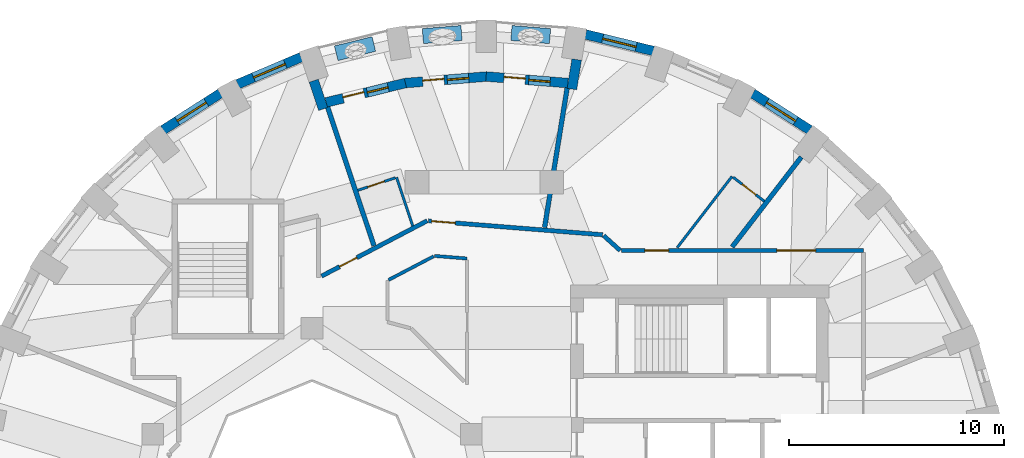
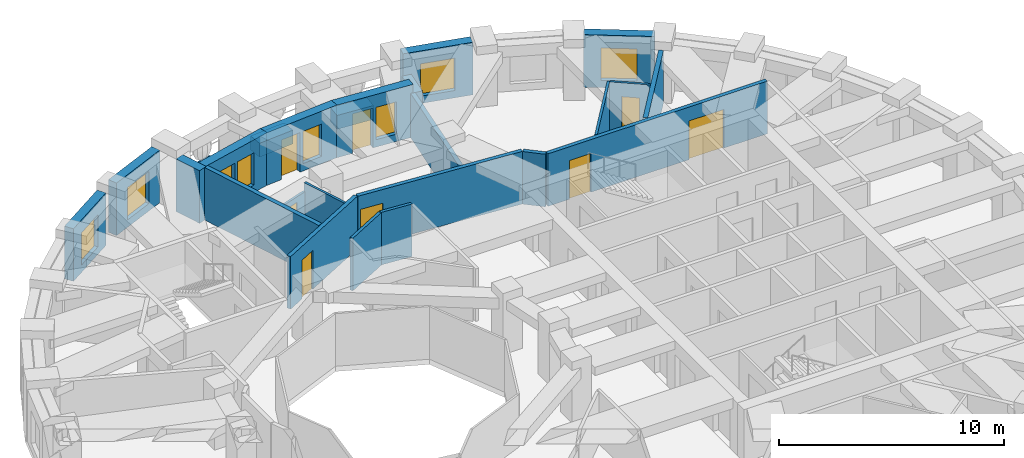
# One storey, part 7 of 11: 25 walls, 9 doors, 7 windows, 16 openings.
"""IFC4 building model written with IfcOpenShell, lengths in metres."""

from ifc_helpers import new_model, si_unit, direction, frame, frame_2d, origin, place, context, subcontext, project, spatial, rectangle, extrude, material, layer, layer_set, constituent, constituent_set, type_object, element, fill, save


model = new_model("IFC4")

# Units and contexts
model_context = context("Model", 3, precision=1e-05, world=origin(), true_north=direction((0.0, 1.0)))
body_context = subcontext(model_context, "Body", "Model", "MODEL_VIEW")
ifc_project = project(units=[si_unit("LENGTHUNIT", "METRE"), si_unit("AREAUNIT", "SQUARE_METRE"), si_unit("VOLUMEUNIT", "CUBIC_METRE"), si_unit("PLANEANGLEUNIT", "RADIAN"), si_unit("MASSUNIT", "GRAM", prefix="KILO")], contexts=[model_context])

# Site, building, storey
site_placement = place(None, origin())
site = spatial("IfcSite", under=ifc_project, at=site_placement, CompositionType="ELEMENT")
building_placement = place(site_placement, origin())
building = spatial("IfcBuilding", under=site, at=building_placement, Name="Taillehof Tower", CompositionType="ELEMENT")
storey_placement = place(building_placement, frame((0.0, 0.0, 181.39990234375)))
storey = spatial("IfcBuildingStorey", under=building, at=storey_placement, Name="L51", CompositionType="ELEMENT", Elevation=181.39990234375)

# Wall, opening, window
ifc_material_1 = material(Name="Brick masonry", Category="masonry")
ifc_layer_1 = layer(ifc_material_1, 0.449951171875)
ifc_layer_set_1 = layer_set([ifc_layer_1], Name="Brick infill wall 450")
wall_type_1 = type_object("IfcWallType", Name="Brick infill wall 450", PredefinedType="SOLIDWALL", material=ifc_layer_set_1)
wall_1_placement = place(storey_placement, frame((15.1083984375, 17.193359375, 0.0), z_axis=(0.0, 0.0, 1.0), x_axis=(-0.842030726237, 0.539429565442, 0.0)))
wall_1 = element("IfcWall", 1, at=wall_1_placement, inside=storey, type_object=wall_type_1, Name="Brick wall L51 bay 6", PredefinedType="SOLIDWALL", context=body_context, shape_type="SweptSolid", body=[
    extrude(rectangle(XDim=3.1513671875, YDim=0.449951171875, at=frame_2d((1.57568359375, 0.0))), origin(), (0.0, 0.0, 1.0), 2.85009765625),
])
opening_1_placement = place(wall_1_placement, frame((0.775634765625, 0.0, 0.39990234375)))
opening_1 = element("IfcOpeningElement", 2, at=opening_1_placement, cuts=wall_1, Name="Opening W3", PredefinedType="OPENING", context=body_context, shape_type="SweptSolid", body=[
    extrude(rectangle(XDim=1.60009765625, YDim=1.75, at=frame_2d((0.800048828125, 0.875))), frame((0.0, 0.23486328125, 0.0), z_axis=(0.0, -1.0, 0.0), x_axis=(1.0, 0.0, 0.0)), (0.0, 0.0, 1.0), 0.469970703125),
])
ifc_material_2 = material(Name="Aluminium window frame with clear double glazing", Category="aluminium")
window_type_1 = type_object("IfcWindowType", Name="Deep-set window 1600x1750", PartitioningType="SINGLE_PANEL", PredefinedType="WINDOW", material=ifc_material_2)
window_1_placement = place(opening_1_placement, origin())
window_1 = element("IfcWindow", 3, at=window_1_placement, inside=storey, type_object=window_type_1, Name="W3", OverallHeight=1.75, OverallWidth=1.60009765625, PartitioningType="SINGLE_PANEL", PredefinedType="WINDOW", context=body_context, shape_type="SweptSolid", body=[
    extrude(rectangle(XDim=1.60009765625, YDim=1.75, at=frame_2d((0.800048828125, 0.875))), frame((0.0, 0.034912109375, 0.0), z_axis=(0.0, -1.0, 0.0), x_axis=(1.0, 0.0, 0.0)), (0.0, 0.0, 1.0), 0.06005859375),
])
fill(opening_1, window_1)

wall_2_placement = place(storey_placement, frame((7.843017578125, 20.8623046875, 0.0), z_axis=(0.0, 0.0, 1.0), x_axis=(-0.971237178372, 0.238114139328, 0.0)))
wall_2 = element("IfcWall", 4, at=wall_2_placement, inside=storey, type_object=wall_type_1, Name="Brick wall L51 bay 8", PredefinedType="SOLIDWALL", context=body_context, shape_type="SweptSolid", body=[
    extrude(rectangle(XDim=3.23681640625, YDim=0.449951171875, at=frame_2d((1.618408203125, 0.0))), origin(), (0.0, 0.0, 1.0), 2.85009765625),
])
opening_2_placement = place(wall_2_placement, frame((0.818359375, 0.0, 0.39990234375)))
opening_2 = element("IfcOpeningElement", 5, at=opening_2_placement, cuts=wall_2, Name="Opening W3", PredefinedType="OPENING", context=body_context, shape_type="SweptSolid", body=[
    extrude(rectangle(XDim=1.60009765625, YDim=1.75, at=frame_2d((0.800048828125, 0.875))), frame((0.0, 0.23486328125, 0.0), z_axis=(0.0, -1.0, 0.0), x_axis=(1.0, 0.0, 0.0)), (0.0, 0.0, 1.0), 0.469970703125),
])
window_2_placement = place(opening_2_placement, origin())
window_2 = element("IfcWindow", 6, at=window_2_placement, inside=storey, type_object=window_type_1, Name="W3", OverallHeight=1.75, OverallWidth=1.60009765625, PartitioningType="SINGLE_PANEL", PredefinedType="WINDOW", context=body_context, shape_type="SweptSolid", body=[
    extrude(rectangle(XDim=1.60009765625, YDim=1.75, at=frame_2d((0.800048828125, 0.875))), frame((0.0, 0.034912109375, 0.0), z_axis=(0.0, -1.0, 0.0), x_axis=(1.0, 0.0, 0.0)), (0.0, 0.0, 1.0), 0.06005859375),
])
fill(opening_2, window_2)

wall_3_placement = place(storey_placement, frame((-8.50634765625, 20.574462890625, 0.0), z_axis=(0.0, 0.0, 1.0), x_axis=(-0.919798725687, -0.392390499663, 0.0)))
wall_3 = element("IfcWall", 7, at=wall_3_placement, inside=storey, type_object=wall_type_1, Name="Brick wall L51 bay 12", PredefinedType="SOLIDWALL", context=body_context, shape_type="SweptSolid", body=[
    extrude(rectangle(XDim=3.200439453125, YDim=0.449951171875, at=frame_2d((1.60009765625, 0.0))), origin(), (0.0, 0.0, 1.0), 2.85009765625),
])
opening_3_placement = place(wall_3_placement, frame((0.80029296875, 0.0, 0.39990234375)))
opening_3 = element("IfcOpeningElement", 8, at=opening_3_placement, cuts=wall_3, Name="Opening W3", PredefinedType="OPENING", context=body_context, shape_type="SweptSolid", body=[
    extrude(rectangle(XDim=1.60009765625, YDim=1.75, at=frame_2d((0.800048828125, 0.875))), frame((0.0, 0.23486328125, 0.0), z_axis=(0.0, -1.0, 0.0), x_axis=(1.0, 0.0, 0.0)), (0.0, 0.0, 1.0), 0.469970703125),
])
window_3_placement = place(opening_3_placement, origin())
window_3 = element("IfcWindow", 9, at=window_3_placement, inside=storey, type_object=window_type_1, Name="W3", OverallHeight=1.75, OverallWidth=1.60009765625, PartitioningType="SINGLE_PANEL", PredefinedType="WINDOW", context=body_context, shape_type="SweptSolid", body=[
    extrude(rectangle(XDim=1.60009765625, YDim=1.75, at=frame_2d((0.800048828125, 0.875))), frame((0.0, 0.034912109375, 0.0), z_axis=(0.0, -1.0, 0.0), x_axis=(1.0, 0.0, 0.0)), (0.0, 0.0, 1.0), 0.06005859375),
])
fill(opening_3, window_3)

wall_4_placement = place(storey_placement, frame((-12.2548828125, 18.893310546875, 0.0), z_axis=(0.0, 0.0, 1.0), x_axis=(-0.842030726237, -0.539429565442, 0.0)))
wall_4 = element("IfcWall", 10, at=wall_4_placement, inside=storey, type_object=wall_type_1, Name="Brick wall L51 bay 13", PredefinedType="SOLIDWALL", context=body_context, shape_type="SweptSolid", body=[
    extrude(rectangle(XDim=3.1513671875, YDim=0.449951171875, at=frame_2d((1.57568359375, 0.0))), origin(), (0.0, 0.0, 1.0), 2.85009765625),
])
opening_4_placement = place(wall_4_placement, frame((0.775634765625, 0.0, 0.39990234375)))
opening_4 = element("IfcOpeningElement", 11, at=opening_4_placement, cuts=wall_4, Name="Opening W3", PredefinedType="OPENING", context=body_context, shape_type="SweptSolid", body=[
    extrude(rectangle(XDim=1.60009765625, YDim=1.75, at=frame_2d((0.800048828125, 0.875))), frame((0.0, 0.23486328125, 0.0), z_axis=(0.0, -1.0, 0.0), x_axis=(1.0, 0.0, 0.0)), (0.0, 0.0, 1.0), 0.469970703125),
])
window_4_placement = place(opening_4_placement, origin())
window_4 = element("IfcWindow", 12, at=window_4_placement, inside=storey, type_object=window_type_1, Name="W3", OverallHeight=1.75, OverallWidth=1.60009765625, PartitioningType="SINGLE_PANEL", PredefinedType="WINDOW", context=body_context, shape_type="SweptSolid", body=[
    extrude(rectangle(XDim=1.60009765625, YDim=1.75, at=frame_2d((0.800048828125, 0.875))), frame((0.0, 0.034912109375, 0.0), z_axis=(0.0, -1.0, 0.0), x_axis=(1.0, 0.0, 0.0)), (0.0, 0.0, 1.0), 0.06005859375),
])
fill(opening_4, window_4)

# Walls
wall_5_placement = place(storey_placement, frame((4.2880859375, 20.4658203125, 0.0), z_axis=(0.0, 0.0, 1.0), x_axis=(-0.159668705775, -0.987170656166, 0.0)))
element("IfcWall", 13, at=wall_5_placement, inside=storey, type_object=wall_type_1, Name="Brick reveal L51 pocket 2", PredefinedType="SOLIDWALL", context=body_context, shape_type="SweptSolid", body=[
    extrude(rectangle(XDim=1.389892578125, YDim=0.449951171875, at=frame_2d((0.69482421875, 0.0))), origin(), (0.0, 0.0, 1.0), 2.400146484375),
])
wall_6_placement = place(storey_placement, frame((-7.921630859375, 19.486328125, 0.0), z_axis=(0.0, 0.0, 1.0), x_axis=(0.316649231286, -0.948542705589, 0.0)))
element("IfcWall", 14, at=wall_6_placement, inside=storey, type_object=wall_type_1, Name="Brick reveal L51 pocket 2", PredefinedType="SOLIDWALL", context=body_context, shape_type="SweptSolid", body=[
    extrude(rectangle(XDim=1.39013671875, YDim=0.449951171875, at=frame_2d((0.695068359375, 0.0))), origin(), (0.0, 0.0, 1.0), 2.85009765625),
])

# Wall, openings, door, window
wall_7_placement = place(storey_placement, frame((3.883056640625, 19.37060546875, 0.0), z_axis=(0.0, 0.0, 1.0), x_axis=(-0.996792437449, 0.080030223316, 0.0)))
wall_7 = element("IfcWall", 15, at=wall_7_placement, inside=storey, type_object=wall_type_1, Name="Brick wall L51 pocket bay 9", PredefinedType="SOLIDWALL", context=body_context, shape_type="SweptSolid", body=[
    extrude(rectangle(XDim=3.813232421875, YDim=0.449951171875, at=frame_2d((1.90673828125, 0.0))), origin(), (0.0, 0.0, 1.0), 2.85009765625),
])
opening_5_placement = place(wall_7_placement, frame((0.83154296875, 0.0, 0.39990234375)))
opening_5 = element("IfcOpeningElement", 16, at=opening_5_placement, cuts=wall_7, Name="Opening W5", PredefinedType="OPENING", context=body_context, shape_type="SweptSolid", body=[
    extrude(rectangle(XDim=1.0, YDim=1.75, at=frame_2d((0.5, 0.875))), frame((0.0, 0.23486328125, 0.0), z_axis=(0.0, -1.0, 0.0), x_axis=(1.0, 0.0, 0.0)), (0.0, 0.0, 1.0), 0.469970703125),
])
opening_6_placement = place(wall_7_placement, frame((1.981689453125, 0.0, 0.0)))
opening_6 = element("IfcOpeningElement", 17, at=opening_6_placement, cuts=wall_7, Name="Opening D5194", PredefinedType="OPENING", context=body_context, shape_type="SweptSolid", body=[
    extrude(rectangle(XDim=1.0, YDim=2.14990234375, at=frame_2d((0.5, 1.074951171875))), frame((0.0, 0.23486328125, 0.0), z_axis=(0.0, -1.0, 0.0), x_axis=(1.0, 0.0, 0.0)), (0.0, 0.0, 1.0), 0.469970703125),
])
ifc_material_3 = material(Name="Aluminium door frame with clear double glazing", Category="aluminium")
door_type_1 = type_object("IfcDoorType", Name="Balcony door 1000x2150", OperationType="SINGLE_SWING_RIGHT", PredefinedType="DOOR", material=ifc_material_3)
door_1_placement = place(opening_6_placement, frame((1.0, 0.0, 0.0), z_axis=(0.0, 0.0, 1.0), x_axis=(-1.0, 0.0, 0.0)))
door_1 = element("IfcDoor", 18, at=door_1_placement, inside=storey, type_object=door_type_1, Name="Balcony door L51 bay 9", OperationType="SINGLE_SWING_RIGHT", OverallHeight=2.14990234375, OverallWidth=1.0, PredefinedType="DOOR", context=body_context, shape_type="SweptSolid", body=[
    extrude(rectangle(XDim=1.0, YDim=2.14990234375, at=frame_2d((0.5, 1.074951171875))), frame((0.0, 0.0751953125, 0.0), z_axis=(0.0, -1.0, 0.0), x_axis=(1.0, 0.0, 0.0)), (0.0, 0.0, 1.0), 0.050048828125),
])
fill(opening_6, door_1)
ifc_material_4 = material(Name="Aluminium window frame with clear double glazing", Category="aluminium")
window_type_2 = type_object("IfcWindowType", Name="Fixed window 1000x1750", PartitioningType="SINGLE_PANEL", PredefinedType="WINDOW", material=ifc_material_4)
window_5_placement = place(opening_5_placement, origin())
window_5 = element("IfcWindow", 19, at=window_5_placement, inside=storey, type_object=window_type_2, Name="W5", OverallHeight=1.75, OverallWidth=1.0, PartitioningType="SINGLE_PANEL", PredefinedType="WINDOW", context=body_context, shape_type="SweptSolid", body=[
    extrude(rectangle(XDim=1.0, YDim=1.75, at=frame_2d((0.5, 0.875))), frame((0.0, 0.034912109375, 0.0), z_axis=(0.0, -1.0, 0.0), x_axis=(1.0, 0.0, 0.0)), (0.0, 0.0, 1.0), 0.06005859375),
])
fill(opening_5, window_5)

wall_8_placement = place(storey_placement, frame((0.117919921875, 19.67578125, 0.0), z_axis=(0.0, 0.0, 1.0), x_axis=(-0.996792139022, -0.080033940204, 0.0)))
wall_8 = element("IfcWall", 20, at=wall_8_placement, inside=storey, type_object=wall_type_1, Name="Brick wall L51 pocket bay 10", PredefinedType="SOLIDWALL", context=body_context, shape_type="SweptSolid", body=[
    extrude(rectangle(XDim=3.831298828125, YDim=0.449951171875, at=frame_2d((1.91552734375, 0.0))), origin(), (0.0, 0.0, 1.0), 2.85009765625),
])
opening_7_placement = place(wall_8_placement, frame((0.840576171875, 0.0, 0.39990234375)))
opening_7 = element("IfcOpeningElement", 21, at=opening_7_placement, cuts=wall_8, Name="Opening W5", PredefinedType="OPENING", context=body_context, shape_type="SweptSolid", body=[
    extrude(rectangle(XDim=1.0, YDim=1.75, at=frame_2d((0.5, 0.875))), frame((0.0, 0.23486328125, 0.0), z_axis=(0.0, -1.0, 0.0), x_axis=(1.0, 0.0, 0.0)), (0.0, 0.0, 1.0), 0.469970703125),
])
opening_8_placement = place(wall_8_placement, frame((1.99072265625, 0.0, 0.0)))
opening_8 = element("IfcOpeningElement", 22, at=opening_8_placement, cuts=wall_8, Name="Opening D5195", PredefinedType="OPENING", context=body_context, shape_type="SweptSolid", body=[
    extrude(rectangle(XDim=1.0, YDim=2.14990234375, at=frame_2d((0.5, 1.074951171875))), frame((0.0, 0.23486328125, 0.0), z_axis=(0.0, -1.0, 0.0), x_axis=(1.0, 0.0, 0.0)), (0.0, 0.0, 1.0), 0.469970703125),
])
door_2_placement = place(opening_8_placement, frame((1.0, 0.0, 0.0), z_axis=(0.0, 0.0, 1.0), x_axis=(-1.0, 0.0, 0.0)))
door_2 = element("IfcDoor", 23, at=door_2_placement, inside=storey, type_object=door_type_1, Name="Balcony door L51 bay 10", OperationType="SINGLE_SWING_LEFT", OverallHeight=2.14990234375, OverallWidth=1.0, PredefinedType="DOOR", context=body_context, shape_type="SweptSolid", body=[
    extrude(rectangle(XDim=1.0, YDim=2.14990234375, at=frame_2d((0.5, 1.074951171875))), frame((0.0, 0.0751953125, 0.0), z_axis=(0.0, -1.0, 0.0), x_axis=(1.0, 0.0, 0.0)), (0.0, 0.0, 1.0), 0.050048828125),
])
fill(opening_8, door_2)
window_6_placement = place(opening_7_placement, origin())
window_6 = element("IfcWindow", 24, at=window_6_placement, inside=storey, type_object=window_type_2, Name="W5", OverallHeight=1.75, OverallWidth=1.0, PartitioningType="SINGLE_PANEL", PredefinedType="WINDOW", context=body_context, shape_type="SweptSolid", body=[
    extrude(rectangle(XDim=1.0, YDim=1.75, at=frame_2d((0.5, 0.875))), frame((0.0, 0.034912109375, 0.0), z_axis=(0.0, -1.0, 0.0), x_axis=(1.0, 0.0, 0.0)), (0.0, 0.0, 1.0), 0.06005859375),
])
fill(opening_7, window_6)

wall_9_placement = place(storey_placement, frame((-3.665283203125, 19.375, 0.0), z_axis=(0.0, 0.0, 1.0), x_axis=(-0.97110866251, -0.238637728782, 0.0)))
wall_9 = element("IfcWall", 25, at=wall_9_placement, inside=storey, type_object=wall_type_1, Name="Brick wall L51 pocket bay 11", PredefinedType="SOLIDWALL", context=body_context, shape_type="SweptSolid", body=[
    extrude(rectangle(XDim=3.789306640625, YDim=0.449951171875, at=frame_2d((1.89453125, 0.0))), origin(), (0.0, 0.0, 1.0), 2.85009765625),
])
opening_9_placement = place(wall_9_placement, frame((0.81982421875, 0.0, 0.39990234375)))
opening_9 = element("IfcOpeningElement", 26, at=opening_9_placement, cuts=wall_9, Name="Opening W5", PredefinedType="OPENING", context=body_context, shape_type="SweptSolid", body=[
    extrude(rectangle(XDim=1.0, YDim=1.75, at=frame_2d((0.5, 0.875))), frame((0.0, 0.23486328125, 0.0), z_axis=(0.0, -1.0, 0.0), x_axis=(1.0, 0.0, 0.0)), (0.0, 0.0, 1.0), 0.469970703125),
])
opening_10_placement = place(wall_9_placement, frame((1.9697265625, 0.0, 0.0)))
opening_10 = element("IfcOpeningElement", 27, at=opening_10_placement, cuts=wall_9, Name="Opening D5196", PredefinedType="OPENING", context=body_context, shape_type="SweptSolid", body=[
    extrude(rectangle(XDim=1.0, YDim=2.14990234375, at=frame_2d((0.5, 1.074951171875))), frame((0.0, 0.23486328125, 0.0), z_axis=(0.0, -1.0, 0.0), x_axis=(1.0, 0.0, 0.0)), (0.0, 0.0, 1.0), 0.469970703125),
])
door_3_placement = place(opening_10_placement, frame((1.0, 0.0, 0.0), z_axis=(0.0, 0.0, 1.0), x_axis=(-1.0, 0.0, 0.0)))
door_3 = element("IfcDoor", 28, at=door_3_placement, inside=storey, type_object=door_type_1, Name="Balcony door L51 bay 11", OperationType="SINGLE_SWING_LEFT", OverallHeight=2.14990234375, OverallWidth=1.0, PredefinedType="DOOR", context=body_context, shape_type="SweptSolid", body=[
    extrude(rectangle(XDim=1.0, YDim=2.14990234375, at=frame_2d((0.5, 1.074951171875))), frame((0.0, 0.0751953125, 0.0), z_axis=(0.0, -1.0, 0.0), x_axis=(1.0, 0.0, 0.0)), (0.0, 0.0, 1.0), 0.050048828125),
])
fill(opening_10, door_3)
window_7_placement = place(opening_9_placement, origin())
window_7 = element("IfcWindow", 29, at=window_7_placement, inside=storey, type_object=window_type_2, Name="W5", OverallHeight=1.75, OverallWidth=1.0, PartitioningType="SINGLE_PANEL", PredefinedType="WINDOW", context=body_context, shape_type="SweptSolid", body=[
    extrude(rectangle(XDim=1.0, YDim=1.75, at=frame_2d((0.5, 0.875))), frame((0.0, 0.034912109375, 0.0), z_axis=(0.0, -1.0, 0.0), x_axis=(1.0, 0.0, 0.0)), (0.0, 0.0, 1.0), 0.06005859375),
])
fill(opening_9, window_7)

# Wall, opening, door
ifc_material_5 = material(Name="Gypsum board on steel studs, two layers each side", Category="steel")
ifc_layer_2 = layer(ifc_material_5, 0.199951171875)
ifc_layer_set_2 = layer_set([ifc_layer_2], Name="Compartment wall corridor 200")
wall_type_2 = type_object("IfcWallType", Name="Compartment wall corridor 200", PredefinedType="PARTITIONING", material=ifc_layer_set_2)
wall_10_placement = place(storey_placement, frame((-7.557373046875, 10.408935546875, 0.0), z_axis=(0.0, 0.0, 1.0), x_axis=(0.885861719566, 0.463949365565, 0.0)))
wall_10 = element("IfcWall", 30, at=wall_10_placement, inside=storey, type_object=wall_type_2, Name="Compartment wall", PredefinedType="PARTITIONING", context=body_context, shape_type="SweptSolid", body=[
    extrude(rectangle(XDim=5.54052734375, YDim=0.199951171875, at=frame_2d((2.770263671875, 0.0))), origin(), (0.0, 0.0, 1.0), 2.85009765625),
])
opening_11_placement = place(wall_10_placement, frame((0.949951171875, 0.0, 0.0)))
opening_11 = element("IfcOpeningElement", 31, at=opening_11_placement, cuts=wall_10, Name="Opening D5144", PredefinedType="OPENING", context=body_context, shape_type="SweptSolid", body=[
    extrude(rectangle(XDim=0.89990234375, YDim=2.10009765625, at=frame_2d((0.449951171875, 1.050048828125))), frame((0.0, 0.10986328125, 0.0), z_axis=(0.0, -1.0, 0.0), x_axis=(1.0, 0.0, 0.0)), (0.0, 0.0, 1.0), 0.219970703125),
])
ifc_material_6 = material(Name="Timber door leaf in steel frame", Category="steel")
door_type_2 = type_object("IfcDoorType", Name="Service room door EI 30 900 x 2100", OperationType="SINGLE_SWING_LEFT", PredefinedType="DOOR", material=ifc_material_6)
door_4_placement = place(opening_11_placement, origin())
door_4 = element("IfcDoor", 32, at=door_4_placement, inside=storey, type_object=door_type_2, Name="D5144", OperationType="SINGLE_SWING_RIGHT", OverallHeight=2.10009765625, OverallWidth=0.89990234375, PredefinedType="DOOR", context=body_context, shape_type="SweptSolid", body=[
    extrude(rectangle(XDim=0.89990234375, YDim=2.10009765625, at=frame_2d((0.449951171875, 1.050048828125))), frame((0.0, 0.02490234375, 0.0), z_axis=(0.0, -1.0, 0.0), x_axis=(1.0, 0.0, 0.0)), (0.0, 0.0, 1.0), 0.050048828125),
])
fill(opening_11, door_4)

wall_11_placement = place(storey_placement, frame((-2.589111328125, 12.974365234375, 0.0), z_axis=(0.0, 0.0, 1.0), x_axis=(0.996834299001, -0.079507108712, 0.0)))
wall_11 = element("IfcWall", 33, at=wall_11_placement, inside=storey, type_object=wall_type_2, Name="Compartment wall", PredefinedType="PARTITIONING", context=body_context, shape_type="SweptSolid", body=[
    extrude(rectangle(XDim=8.109619140625, YDim=0.199951171875, at=frame_2d((4.0546875, 0.0))), origin(), (0.0, 0.0, 1.0), 2.85009765625),
])
opening_12_placement = place(wall_11_placement, frame((0.139892578125, 0.0, 0.0)))
opening_12 = element("IfcOpeningElement", 34, at=opening_12_placement, cuts=wall_11, Name="Opening D5142", PredefinedType="OPENING", context=body_context, shape_type="SweptSolid", body=[
    extrude(rectangle(XDim=1.10009765625, YDim=2.10009765625, at=frame_2d((0.550048828125, 1.050048828125))), frame((0.0, 0.10986328125, 0.0), z_axis=(0.0, -1.0, 0.0), x_axis=(1.0, 0.0, 0.0)), (0.0, 0.0, 1.0), 0.219970703125),
])
ifc_material_7 = material(Name="Timber door leaf in steel frame", Category="steel")
door_type_3 = type_object("IfcDoorType", Name="Suite entrance door EI 30 1100 x 2100", OperationType="SINGLE_SWING_LEFT", PredefinedType="DOOR", material=ifc_material_7)
door_5_placement = place(opening_12_placement, origin())
door_5 = element("IfcDoor", 35, at=door_5_placement, inside=storey, type_object=door_type_3, Name="D5142", OperationType="SINGLE_SWING_LEFT", OverallHeight=2.10009765625, OverallWidth=1.10009765625, PredefinedType="DOOR", context=body_context, shape_type="SweptSolid", body=[
    extrude(rectangle(XDim=1.10009765625, YDim=2.10009765625, at=frame_2d((0.550048828125, 1.050048828125))), frame((0.0, 0.02490234375, 0.0), z_axis=(0.0, -1.0, 0.0), x_axis=(1.0, 0.0, 0.0)), (0.0, 0.0, 1.0), 0.050048828125),
])
fill(opening_12, door_5)

# Wall
wall_12_placement = place(storey_placement, frame((5.53955078125, 12.289306640625, 0.0), z_axis=(0.0, 0.0, 1.0), x_axis=(0.743647325452, -0.668572101832, 0.0)))
element("IfcWall", 36, at=wall_12_placement, inside=storey, type_object=wall_type_2, Name="Compartment wall", PredefinedType="PARTITIONING", context=body_context, shape_type="SweptSolid", body=[
    extrude(rectangle(XDim=1.03076171875, YDim=0.199951171875, at=frame_2d((0.515380859375, 0.0))), origin(), (0.0, 0.0, 1.0), 2.85009765625),
])

# Wall, openings, doors
wall_13_placement = place(storey_placement, frame((6.3662109375, 11.60009765625, 0.0), z_axis=(0.0, 0.0, 1.0), x_axis=(1.0, 0.0, 0.0)))
wall_13 = element("IfcWall", 37, at=wall_13_placement, inside=storey, type_object=wall_type_2, Name="Compartment wall", PredefinedType="PARTITIONING", context=body_context, shape_type="SweptSolid", body=[
    extrude(rectangle(XDim=11.23388671875, YDim=0.199951171875, at=frame_2d((5.616943359375, 0.0))), origin(), (0.0, 0.0, 1.0), 2.85009765625),
])
opening_13_placement = place(wall_13_placement, frame((1.086181640625, 0.0, 0.0)))
opening_13 = element("IfcOpeningElement", 38, at=opening_13_placement, cuts=wall_13, Name="Opening D5140", PredefinedType="OPENING", context=body_context, shape_type="SweptSolid", body=[
    extrude(rectangle(XDim=1.10009765625, YDim=2.10009765625, at=frame_2d((0.550048828125, 1.050048828125))), frame((0.0, 0.10986328125, 0.0), z_axis=(0.0, -1.0, 0.0), x_axis=(1.0, 0.0, 0.0)), (0.0, 0.0, 1.0), 0.219970703125),
])
opening_14_placement = place(wall_13_placement, frame((7.216064453125, 0.0, 0.0)))
opening_14 = element("IfcOpeningElement", 39, at=opening_14_placement, cuts=wall_13, Name="Opening D5154", PredefinedType="OPENING", context=body_context, shape_type="SweptSolid", body=[
    extrude(rectangle(XDim=1.800048828125, YDim=2.10009765625, at=frame_2d((0.89990234375, 1.050048828125))), frame((0.0, 0.10986328125, 0.0), z_axis=(0.0, -1.0, 0.0), x_axis=(1.0, 0.0, 0.0)), (0.0, 0.0, 1.0), 0.219970703125),
])
ifc_material_8 = material(Name="Timber door leaf in steel frame", Category="steel")
door_type_4 = type_object("IfcDoorType", Name="Lounge and meeting room double door EI 30 1800 x 2100", OperationType="SINGLE_SWING_LEFT", PredefinedType="DOOR", material=ifc_material_8)
door_6_placement = place(opening_14_placement, origin())
door_6 = element("IfcDoor", 40, at=door_6_placement, inside=storey, type_object=door_type_4, Name="D5154", OperationType="DOUBLE_DOOR_SINGLE_SWING", OverallHeight=2.10009765625, OverallWidth=1.800048828125, PredefinedType="DOOR", context=body_context, shape_type="SweptSolid", body=[
    extrude(rectangle(XDim=1.800048828125, YDim=2.10009765625, at=frame_2d((0.89990234375, 1.050048828125))), frame((0.0, 0.02490234375, 0.0), z_axis=(0.0, -1.0, 0.0), x_axis=(1.0, 0.0, 0.0)), (0.0, 0.0, 1.0), 0.050048828125),
])
fill(opening_14, door_6)
door_7_placement = place(opening_13_placement, origin())
door_7 = element("IfcDoor", 41, at=door_7_placement, inside=storey, type_object=door_type_3, Name="D5140", OperationType="SINGLE_SWING_RIGHT", OverallHeight=2.10009765625, OverallWidth=1.10009765625, PredefinedType="DOOR", context=body_context, shape_type="SweptSolid", body=[
    extrude(rectangle(XDim=1.10009765625, YDim=2.10009765625, at=frame_2d((0.550048828125, 1.050048828125))), frame((0.0, 0.02490234375, 0.0), z_axis=(0.0, -1.0, 0.0), x_axis=(1.0, 0.0, 0.0)), (0.0, 0.0, 1.0), 0.050048828125),
])
fill(opening_13, door_7)

# Walls
ifc_material_9 = material(Name="Gypsum board on double steel studs with mineral wool", Category="steel")
ifc_layer_3 = layer(ifc_material_9, 0.219970703125)
ifc_layer_set_3 = layer_set([ifc_layer_3], Name="Compartment wall guest room 220")
wall_type_3 = type_object("IfcWallType", Name="Compartment wall guest room 220", PredefinedType="PARTITIONING", material=ifc_layer_set_3)
wall_14_placement = place(storey_placement, frame((14.7158203125, 15.937255859375, 0.0), z_axis=(0.0, 0.0, 1.0), x_axis=(-0.61000193202, -0.792399926131, 0.0)))
element("IfcWall", 42, at=wall_14_placement, inside=storey, type_object=wall_type_3, Name="Compartment wall", PredefinedType="PARTITIONING", context=body_context, shape_type="SweptSolid", body=[
    extrude(rectangle(XDim=5.26708984375, YDim=0.219970703125, at=frame_2d((2.633544921875, 0.0))), origin(), (0.0, 0.0, 1.0), 2.85009765625),
])
wall_15_placement = place(storey_placement, frame((3.846923828125, 19.14794921875, 0.0), z_axis=(0.0, 0.0, 1.0), x_axis=(-0.159670729912, -0.987170328773, 0.0)))
element("IfcWall", 43, at=wall_15_placement, inside=storey, type_object=wall_type_3, Name="Compartment wall", PredefinedType="PARTITIONING", context=body_context, shape_type="SweptSolid", body=[
    extrude(rectangle(XDim=6.567138671875, YDim=0.219970703125, at=frame_2d((3.28369140625, 0.0))), origin(), (0.0, 0.0, 1.0), 2.400146484375),
])
wall_16_placement = place(storey_placement, frame((-7.27392578125, 18.25634765625, 0.0), z_axis=(0.0, 0.0, 1.0), x_axis=(0.316724121691, -0.948517701859, 0.0)))
element("IfcWall", 44, at=wall_16_placement, inside=storey, type_object=wall_type_3, Name="Compartment wall", PredefinedType="PARTITIONING", context=body_context, shape_type="SweptSolid", body=[
    extrude(rectangle(XDim=6.787109375, YDim=0.219970703125, at=frame_2d((3.3935546875, 0.0))), origin(), (0.0, 0.0, 1.0), 2.85009765625),
])
ifc_material_10 = material(Name="Gypsum board on steel studs, two layers each side", Category="steel")
ifc_layer_4 = layer(ifc_material_10, 0.14990234375)
ifc_layer_set_4 = layer_set([ifc_layer_4], Name="Compartment wall service room 150")
wall_type_4 = type_object("IfcWallType", Name="Compartment wall service room 150", PredefinedType="PARTITIONING", material=ifc_layer_set_4)
wall_17_placement = place(storey_placement, frame((-2.316162109375, 11.347900390625, 0.0), z_axis=(0.0, 0.0, 1.0), x_axis=(0.99682547828, -0.079617622742, 0.0)))
element("IfcWall", 45, at=wall_17_placement, inside=storey, type_object=wall_type_4, Name="Compartment wall", PredefinedType="PARTITIONING", context=body_context, shape_type="SweptSolid", body=[
    extrude(rectangle(XDim=1.52099609375, YDim=0.14990234375, at=frame_2d((0.760498046875, 0.0))), origin(), (0.0, 0.0, 1.0), 2.85009765625),
])
wall_18_placement = place(storey_placement, frame((-4.446533203125, 10.232177734375, 0.0), z_axis=(0.0, 0.0, 1.0), x_axis=(0.885843659857, 0.463983847016, 0.0)))
element("IfcWall", 46, at=wall_18_placement, inside=storey, type_object=wall_type_4, Name="Compartment wall", PredefinedType="PARTITIONING", context=body_context, shape_type="SweptSolid", body=[
    extrude(rectangle(XDim=2.36474609375, YDim=0.14990234375, at=frame_2d((1.182373046875, 0.0))), origin(), (0.0, 0.0, 1.0), 2.85009765625),
])
ifc_material_11 = material(Name="Gypsum board on steel studs, moisture resistant", Category="steel")
ifc_layer_5 = layer(ifc_material_11, 0.1201171875)
ifc_layer_set_5 = layer_set([ifc_layer_5], Name="En-suite wall 120")
wall_type_5 = type_object("IfcWallType", Name="En-suite wall 120", PredefinedType="PARTITIONING", material=ifc_layer_set_5)
wall_19_placement = place(storey_placement, frame((8.95458984375, 11.73193359375, 0.0), z_axis=(0.0, 0.0, 1.0), x_axis=(0.609996270026, 0.79240428479, 0.0)))
element("IfcWall", 47, at=wall_19_placement, inside=storey, type_object=wall_type_5, Name="En-suite wall", PredefinedType="PARTITIONING", context=body_context, shape_type="SweptSolid", body=[
    extrude(rectangle(XDim=4.17333984375, YDim=0.1201171875, at=frame_2d((2.086669921875, 0.0))), origin(), (0.0, 0.0, 1.0), 2.85009765625),
])
wall_20_placement = place(storey_placement, frame((-3.3232421875, 12.739501953125, 0.0), z_axis=(0.0, 0.0, 1.0), x_axis=(-0.316720994124, 0.948518746194, 0.0)))
element("IfcWall", 48, at=wall_20_placement, inside=storey, type_object=wall_type_5, Name="En-suite wall", PredefinedType="PARTITIONING", context=body_context, shape_type="SweptSolid", body=[
    extrude(rectangle(XDim=2.375732421875, YDim=0.1201171875, at=frame_2d((1.18798828125, 0.0))), origin(), (0.0, 0.0, 1.0), 2.85009765625),
])

# Wall, opening, door
wall_21_placement = place(storey_placement, frame((11.5478515625, 15.002197265625, 0.0), z_axis=(0.0, 0.0, 1.0), x_axis=(0.792445416108, -0.609942835428, 0.0)))
wall_21 = element("IfcWall", 49, at=wall_21_placement, inside=storey, type_object=wall_type_5, Name="En-suite wall", PredefinedType="PARTITIONING", context=body_context, shape_type="SweptSolid", body=[
    extrude(rectangle(XDim=1.830078125, YDim=0.1201171875, at=frame_2d((0.9150390625, 0.0))), origin(), (0.0, 0.0, 1.0), 2.85009765625),
])
opening_15_placement = place(wall_21_placement, frame((0.5400390625, 0.0, 0.0)))
opening_15 = element("IfcOpeningElement", 50, at=opening_15_placement, cuts=wall_21, Name="Opening D5141", PredefinedType="OPENING", context=body_context, shape_type="SweptSolid", body=[
    extrude(rectangle(XDim=0.800048828125, YDim=2.10009765625, at=frame_2d((0.39990234375, 1.050048828125))), frame((0.0, 0.070068359375, 0.0), z_axis=(0.0, -1.0, 0.0), x_axis=(1.0, 0.0, 0.0)), (0.0, 0.0, 1.0), 0.14013671875),
])
ifc_material_12 = material(Name="Timber door leaf in steel frame", Category="steel")
door_type_5 = type_object("IfcDoorType", Name="En-suite door 800 x 2100", OperationType="SINGLE_SWING_LEFT", PredefinedType="DOOR", material=ifc_material_12)
door_8_placement = place(opening_15_placement, origin())
door_8 = element("IfcDoor", 51, at=door_8_placement, inside=storey, type_object=door_type_5, Name="D5141", OperationType="SINGLE_SWING_RIGHT", OverallHeight=2.10009765625, OverallWidth=0.800048828125, PredefinedType="DOOR", context=body_context, shape_type="SweptSolid", body=[
    extrude(rectangle(XDim=0.800048828125, YDim=2.10009765625, at=frame_2d((0.39990234375, 1.050048828125))), frame((0.0, 0.02490234375, 0.0), z_axis=(0.0, -1.0, 0.0), x_axis=(1.0, 0.0, 0.0)), (0.0, 0.0, 1.0), 0.050048828125),
])
fill(opening_15, door_8)

wall_22_placement = place(storey_placement, frame((-4.132568359375, 14.973876953125, 0.0), z_axis=(0.0, 0.0, 1.0), x_axis=(-0.9485230882, -0.31670799035, 0.0)))
wall_22 = element("IfcWall", 52, at=wall_22_placement, inside=storey, type_object=wall_type_5, Name="En-suite wall", PredefinedType="PARTITIONING", context=body_context, shape_type="SweptSolid", body=[
    extrude(rectangle(XDim=1.830078125, YDim=0.1201171875, at=frame_2d((0.9150390625, 0.0))), origin(), (0.0, 0.0, 1.0), 2.400146484375),
])
opening_16_placement = place(wall_22_placement, frame((0.5400390625, 0.0, 0.0)))
opening_16 = element("IfcOpeningElement", 53, at=opening_16_placement, cuts=wall_22, Name="Opening D5143", PredefinedType="OPENING", context=body_context, shape_type="SweptSolid", body=[
    extrude(rectangle(XDim=0.800048828125, YDim=2.10009765625, at=frame_2d((0.39990234375, 1.050048828125))), frame((0.0, 0.070068359375, 0.0), z_axis=(0.0, -1.0, 0.0), x_axis=(1.0, 0.0, 0.0)), (0.0, 0.0, 1.0), 0.14013671875),
])
door_9_placement = place(opening_16_placement, origin())
door_9 = element("IfcDoor", 54, at=door_9_placement, inside=storey, type_object=door_type_5, Name="D5143", OperationType="SINGLE_SWING_LEFT", OverallHeight=2.10009765625, OverallWidth=0.800048828125, PredefinedType="DOOR", context=body_context, shape_type="SweptSolid", body=[
    extrude(rectangle(XDim=0.800048828125, YDim=2.10009765625, at=frame_2d((0.39990234375, 1.050048828125))), frame((0.0, 0.02490234375, 0.0), z_axis=(0.0, -1.0, 0.0), x_axis=(1.0, 0.0, 0.0)), (0.0, 0.0, 1.0), 0.050048828125),
])
fill(opening_16, door_9)

# Walls
ifc_material_13 = material(Name="Concrete C30/37 precast", Category="concrete")
ifc_constituent_1 = constituent(ifc_material_13, Name="Structure", Category="concrete")
ifc_material_14 = material(Name="Insulated lining")
ifc_constituent_2 = constituent(ifc_material_14, Name="Lining")
ifc_constituent_set = constituent_set(constituents=[ifc_constituent_1, ifc_constituent_2], Name="Planter trough 700x750")
wall_type_6 = type_object("IfcWallType", Name="Planter trough 700x750", PredefinedType="USERDEFINED", material=ifc_constituent_set)
for number, where, z_axis, x_axis, name in (
    (55, (3.05224609375, 21.552001953125, 0.0), (0.0, 0.0, 1.0), (-0.996803623311, 0.079890778899, 0.0), "Planter L51 bay 9"),
    (56, (-1.05810546875, 21.69580078125, 0.0), (0.0, 0.0, 1.0), (-0.996803623311, -0.079890778899, 0.0), "Planter L51 bay 10"),
    (57, (-5.129150390625, 21.18505859375, 0.0), (0.0, 0.0, 1.0), (-0.971257007956, -0.238033242419, 0.0), "Planter L51 bay 11"),
):
    element("IfcWall", number, at=place(storey_placement, frame(where, z_axis=z_axis, x_axis=x_axis)), inside=storey, type_object=wall_type_6, Name=name, ObjectType="PLANTER", PredefinedType="USERDEFINED", context=body_context, shape_type="SweptSolid", body=[
        extrude(rectangle(XDim=1.800048828125, YDim=0.699951171875, at=frame_2d((0.89990234375, 0.0))), origin(), (0.0, 0.0, 1.0), 0.75),
    ])

save(model, "model.ifc")
